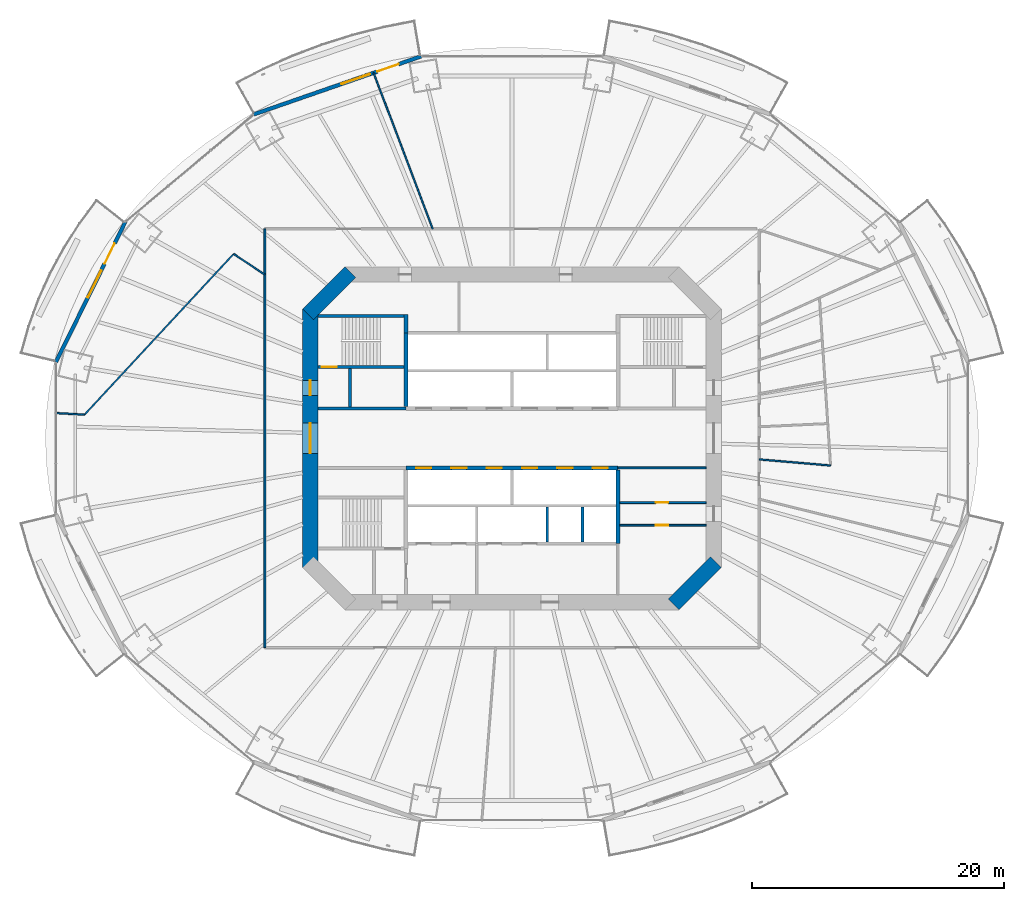
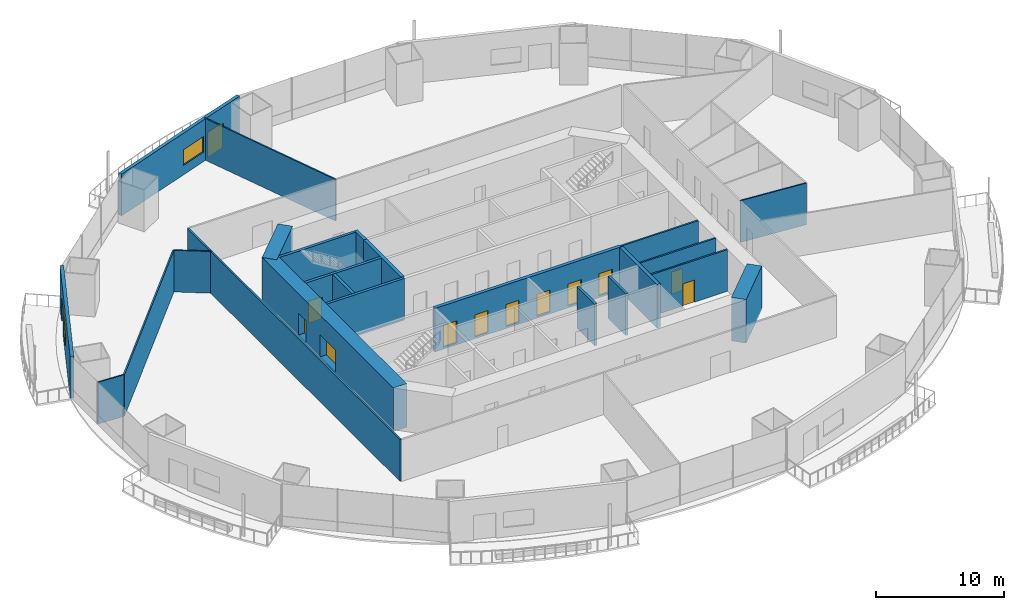
# One storey, part 15 of 23: 24 walls, 13 doors, 2 windows, 15 openings.
"""IFC4 building model written with IfcOpenShell, lengths in metres."""

from ifc_helpers import new_model, si_unit, direction, frame, frame_2d, origin, place, context, subcontext, project, spatial, rectangle, extrude, material, layer, layer_set, type_object, element, fill, save


model = new_model("IFC4")

# Units and contexts
model_context = context("Model", 3, precision=1e-05, world=origin(), true_north=direction((0.0, 1.0)))
body_context = subcontext(model_context, "Body", "Model", "MODEL_VIEW")
ifc_project = project(units=[si_unit("LENGTHUNIT", "METRE"), si_unit("AREAUNIT", "SQUARE_METRE"), si_unit("VOLUMEUNIT", "CUBIC_METRE"), si_unit("PLANEANGLEUNIT", "RADIAN"), si_unit("MASSUNIT", "GRAM", prefix="KILO")], contexts=[model_context])

# Site, building, storey
site_placement = place(None, origin())
site = spatial("IfcSite", under=ifc_project, at=site_placement, CompositionType="ELEMENT")
building_placement = place(site_placement, origin())
building = spatial("IfcBuilding", under=site, at=building_placement, Name="Marenthal Gate Tower", CompositionType="ELEMENT")
storey_placement = place(building_placement, frame((0.0, 0.0, 37.14990234375)))
storey = spatial("IfcBuildingStorey", under=building, at=storey_placement, Name="L05", CompositionType="ELEMENT", Elevation=37.14990234375)

# Walls
ifc_material_1 = material(Name="Concrete 60 MPa", Category="concrete")
ifc_layer_1 = layer(ifc_material_1, 1.199951171875)
ifc_layer_set_1 = layer_set([ifc_layer_1], Name="Core shear wall 1200")
wall_type_1 = type_object("IfcWallType", Name="Core shear wall 1200", PredefinedType="SHEAR", material=ifc_layer_set_1)
for number, where, z_axis, x_axis, name in (
    (1, (12.82421875, -13.17578125, -0.179931640625), (0.0, 0.0, 1.0), (0.707106781187, 0.707106781187, 0.0), "Core wall 01"),
    (2, (-12.82421875, 13.17578125, -0.179931640625), (0.0, 0.0, 1.0), (-0.707106781187, -0.707106781187, 0.0), "Core wall 05"),
):
    element("IfcWall", number, at=place(storey_placement, frame(where, z_axis=z_axis, x_axis=x_axis)), inside=storey, type_object=wall_type_1, Name=name, PredefinedType="SHEAR", context=body_context, shape_type="SweptSolid", body=[
        extrude(rectangle(XDim=4.73974609375, YDim=1.199951171875, at=frame_2d((2.369873046875, 0.0))), origin(), (0.0, 0.0, 1.0), 4.150146484375),
    ])

# Wall, openings, doors
wall_1_placement = place(storey_placement, frame((-16.0, 10.24853515625, -0.179931640625), z_axis=(0.0, 0.0, 1.0), x_axis=(0.0, -1.0, 0.0)))
wall_1 = element("IfcWall", 3, at=wall_1_placement, inside=storey, type_object=wall_type_1, Name="Core wall 06", PredefinedType="SHEAR", context=body_context, shape_type="SweptSolid", body=[
    extrude(rectangle(XDim=20.4970703125, YDim=1.199951171875, at=frame_2d((10.24853515625, 0.0))), origin(), (0.0, 0.0, 1.0), 4.150146484375),
])
opening_1_placement = place(wall_1_placement, frame((9.048583984375, 0.0, 0.179931640625)))
opening_1 = element("IfcOpeningElement", 4, at=opening_1_placement, cuts=wall_1, Name="Opening D003.01", PredefinedType="OPENING", context=body_context, shape_type="SweptSolid", body=[
    extrude(rectangle(XDim=2.39990234375, YDim=2.10009765625, at=frame_2d((1.199951171875, 1.050048828125))), frame((0.0, 0.60986328125, 0.0), z_axis=(0.0, -1.0, 0.0), x_axis=(1.0, 0.0, 0.0)), (0.0, 0.0, 1.0), 1.219970703125),
])
opening_2_placement = place(wall_1_placement, frame((5.6484375, 0.0, 0.179931640625)))
opening_2 = element("IfcOpeningElement", 5, at=opening_2_placement, cuts=wall_1, Name="Opening D001.04", PredefinedType="OPENING", context=body_context, shape_type="SweptSolid", body=[
    extrude(rectangle(XDim=1.199951171875, YDim=2.10009765625, at=frame_2d((0.60009765625, 1.050048828125))), frame((0.0, 0.60986328125, 0.0), z_axis=(0.0, -1.0, 0.0), x_axis=(1.0, 0.0, 0.0)), (0.0, 0.0, 1.0), 1.219970703125),
])
ifc_material_2 = material(Name="Steel fire door", Category="steel")
door_type_1 = type_object("IfcDoorType", Name="Double fire door FD 45 2400 x 2100", OperationType="DOUBLE_DOOR_SINGLE_SWING", PredefinedType="DOOR", material=ifc_material_2)
door_1_placement = place(opening_1_placement, origin())
door_1 = element("IfcDoor", 6, at=door_1_placement, inside=storey, type_object=door_type_1, Name="Door D003.01", OperationType="DOUBLE_DOOR_SINGLE_SWING", OverallHeight=2.10009765625, OverallWidth=2.39990234375, PredefinedType="DOOR", context=body_context, shape_type="SweptSolid", body=[
    extrude(rectangle(XDim=2.39990234375, YDim=2.10009765625, at=frame_2d((1.199951171875, 1.050048828125))), frame((0.0, 0.02490234375, 0.0), z_axis=(0.0, -1.0, 0.0), x_axis=(1.0, 0.0, 0.0)), (0.0, 0.0, 1.0), 0.050048828125),
])
fill(opening_1, door_1)
ifc_material_3 = material(Name="Steel fire door", Category="steel")
door_type_2 = type_object("IfcDoorType", Name="Fire door FD 90 1200 x 2100", OperationType="NOTDEFINED", PredefinedType="DOOR", material=ifc_material_3)
door_2_placement = place(opening_2_placement, origin())
door_2 = element("IfcDoor", 7, at=door_2_placement, inside=storey, type_object=door_type_2, Name="Door D001.04", OperationType="SINGLE_SWING_RIGHT", OverallHeight=2.10009765625, OverallWidth=1.199951171875, PredefinedType="DOOR", context=body_context, shape_type="SweptSolid", body=[
    extrude(rectangle(XDim=1.199951171875, YDim=2.10009765625, at=frame_2d((0.60009765625, 1.050048828125))), frame((0.0, 0.02490234375, 0.0), z_axis=(0.0, -1.0, 0.0), x_axis=(1.0, 0.0, 0.0)), (0.0, 0.0, 1.0), 0.050048828125),
])
fill(opening_2, door_2)

ifc_material_4 = material(Name="Concrete 50 MPa", Category="concrete")
ifc_layer_2 = layer(ifc_material_4, 0.300048828125)
ifc_layer_set_2 = layer_set([ifc_layer_2], Name="Hoistway shear wall 300")
wall_type_2 = type_object("IfcWallType", Name="Hoistway shear wall 300", PredefinedType="SHEAR", material=ifc_layer_set_2)
wall_2_placement = place(storey_placement, frame((-8.39990234375, -2.35009765625, -0.179931640625), z_axis=(0.0, 0.0, 1.0), x_axis=(1.0, 0.0, 0.0)))
wall_2 = element("IfcWall", 8, at=wall_2_placement, inside=storey, type_object=wall_type_2, Name="Hoistway wall 17", PredefinedType="SHEAR", context=body_context, shape_type="SweptSolid", body=[
    extrude(rectangle(XDim=16.7998046875, YDim=0.300048828125, at=frame_2d((8.39990234375, 0.0))), origin(), (0.0, 0.0, 1.0), 4.150146484375),
])
opening_3_placement = place(wall_2_placement, frame((0.800048828125, 0.0, 0.179931640625)))
opening_3 = element("IfcOpeningElement", 9, at=opening_3_placement, cuts=wall_2, Name="Opening LD-LP7", PredefinedType="OPENING", context=body_context, shape_type="SweptSolid", body=[
    extrude(rectangle(XDim=1.199951171875, YDim=2.10009765625, at=frame_2d((0.60009765625, 1.050048828125))), frame((0.0, 0.16015625, 0.0), z_axis=(0.0, -1.0, 0.0), x_axis=(1.0, 0.0, 0.0)), (0.0, 0.0, 1.0), 0.320068359375),
])
opening_4_placement = place(wall_2_placement, frame((3.60009765625, 0.0, 0.179931640625)))
opening_4 = element("IfcOpeningElement", 10, at=opening_4_placement, cuts=wall_2, Name="Opening LD-LP8", PredefinedType="OPENING", context=body_context, shape_type="SweptSolid", body=[
    extrude(rectangle(XDim=1.199951171875, YDim=2.10009765625, at=frame_2d((0.60009765625, 1.050048828125))), frame((0.0, 0.16015625, 0.0), z_axis=(0.0, -1.0, 0.0), x_axis=(1.0, 0.0, 0.0)), (0.0, 0.0, 1.0), 0.320068359375),
])
opening_5_placement = place(wall_2_placement, frame((6.39990234375, 0.0, 0.179931640625)))
opening_5 = element("IfcOpeningElement", 11, at=opening_5_placement, cuts=wall_2, Name="Opening LD-LP9", PredefinedType="OPENING", context=body_context, shape_type="SweptSolid", body=[
    extrude(rectangle(XDim=1.199951171875, YDim=2.10009765625, at=frame_2d((0.60009765625, 1.050048828125))), frame((0.0, 0.16015625, 0.0), z_axis=(0.0, -1.0, 0.0), x_axis=(1.0, 0.0, 0.0)), (0.0, 0.0, 1.0), 0.320068359375),
])
opening_6_placement = place(wall_2_placement, frame((9.199951171875, 0.0, 0.179931640625)))
opening_6 = element("IfcOpeningElement", 12, at=opening_6_placement, cuts=wall_2, Name="Opening LD-LP10", PredefinedType="OPENING", context=body_context, shape_type="SweptSolid", body=[
    extrude(rectangle(XDim=1.199951171875, YDim=2.10009765625, at=frame_2d((0.60009765625, 1.050048828125))), frame((0.0, 0.16015625, 0.0), z_axis=(0.0, -1.0, 0.0), x_axis=(1.0, 0.0, 0.0)), (0.0, 0.0, 1.0), 0.320068359375),
])
opening_7_placement = place(wall_2_placement, frame((12.0, 0.0, 0.179931640625)))
opening_7 = element("IfcOpeningElement", 13, at=opening_7_placement, cuts=wall_2, Name="Opening LD-LP11", PredefinedType="OPENING", context=body_context, shape_type="SweptSolid", body=[
    extrude(rectangle(XDim=1.199951171875, YDim=2.10009765625, at=frame_2d((0.60009765625, 1.050048828125))), frame((0.0, 0.16015625, 0.0), z_axis=(0.0, -1.0, 0.0), x_axis=(1.0, 0.0, 0.0)), (0.0, 0.0, 1.0), 0.320068359375),
])
opening_8_placement = place(wall_2_placement, frame((14.800048828125, 0.0, 0.179931640625)))
opening_8 = element("IfcOpeningElement", 14, at=opening_8_placement, cuts=wall_2, Name="Opening LD-LP12", PredefinedType="OPENING", context=body_context, shape_type="SweptSolid", body=[
    extrude(rectangle(XDim=1.199951171875, YDim=2.10009765625, at=frame_2d((0.60009765625, 1.050048828125))), frame((0.0, 0.16015625, 0.0), z_axis=(0.0, -1.0, 0.0), x_axis=(1.0, 0.0, 0.0)), (0.0, 0.0, 1.0), 0.320068359375),
])
ifc_material_5 = material(Name="Stainless steel sliding door", Category="steel")
door_type_3 = type_object("IfcDoorType", Name="Lift landing door FD 90 1200 x 2100", OperationType="DOUBLE_DOOR_SLIDING", PredefinedType="DOOR", material=ifc_material_5)
door_3_placement = place(opening_3_placement, origin())
door_3 = element("IfcDoor", 15, at=door_3_placement, inside=storey, type_object=door_type_3, Name="Lift landing door LP7", OperationType="DOUBLE_DOOR_SLIDING", OverallHeight=2.10009765625, OverallWidth=1.199951171875, PredefinedType="DOOR", context=body_context, shape_type="SweptSolid", body=[
    extrude(rectangle(XDim=1.199951171875, YDim=2.10009765625, at=frame_2d((0.60009765625, 1.050048828125))), frame((0.0, 0.02490234375, 0.0), z_axis=(0.0, -1.0, 0.0), x_axis=(1.0, 0.0, 0.0)), (0.0, 0.0, 1.0), 0.050048828125),
])
fill(opening_3, door_3)
door_4_placement = place(opening_4_placement, origin())
door_4 = element("IfcDoor", 16, at=door_4_placement, inside=storey, type_object=door_type_3, Name="Lift landing door LP8", OperationType="DOUBLE_DOOR_SLIDING", OverallHeight=2.10009765625, OverallWidth=1.199951171875, PredefinedType="DOOR", context=body_context, shape_type="SweptSolid", body=[
    extrude(rectangle(XDim=1.199951171875, YDim=2.10009765625, at=frame_2d((0.60009765625, 1.050048828125))), frame((0.0, 0.02490234375, 0.0), z_axis=(0.0, -1.0, 0.0), x_axis=(1.0, 0.0, 0.0)), (0.0, 0.0, 1.0), 0.050048828125),
])
fill(opening_4, door_4)
door_5_placement = place(opening_5_placement, origin())
door_5 = element("IfcDoor", 17, at=door_5_placement, inside=storey, type_object=door_type_3, Name="Lift landing door LP9", OperationType="DOUBLE_DOOR_SLIDING", OverallHeight=2.10009765625, OverallWidth=1.199951171875, PredefinedType="DOOR", context=body_context, shape_type="SweptSolid", body=[
    extrude(rectangle(XDim=1.199951171875, YDim=2.10009765625, at=frame_2d((0.60009765625, 1.050048828125))), frame((0.0, 0.02490234375, 0.0), z_axis=(0.0, -1.0, 0.0), x_axis=(1.0, 0.0, 0.0)), (0.0, 0.0, 1.0), 0.050048828125),
])
fill(opening_5, door_5)
door_6_placement = place(opening_6_placement, origin())
door_6 = element("IfcDoor", 18, at=door_6_placement, inside=storey, type_object=door_type_3, Name="Lift landing door LP10", OperationType="DOUBLE_DOOR_SLIDING", OverallHeight=2.10009765625, OverallWidth=1.199951171875, PredefinedType="DOOR", context=body_context, shape_type="SweptSolid", body=[
    extrude(rectangle(XDim=1.199951171875, YDim=2.10009765625, at=frame_2d((0.60009765625, 1.050048828125))), frame((0.0, 0.02490234375, 0.0), z_axis=(0.0, -1.0, 0.0), x_axis=(1.0, 0.0, 0.0)), (0.0, 0.0, 1.0), 0.050048828125),
])
fill(opening_6, door_6)
door_7_placement = place(opening_7_placement, origin())
door_7 = element("IfcDoor", 19, at=door_7_placement, inside=storey, type_object=door_type_3, Name="Lift landing door LP11", OperationType="DOUBLE_DOOR_SLIDING", OverallHeight=2.10009765625, OverallWidth=1.199951171875, PredefinedType="DOOR", context=body_context, shape_type="SweptSolid", body=[
    extrude(rectangle(XDim=1.199951171875, YDim=2.10009765625, at=frame_2d((0.60009765625, 1.050048828125))), frame((0.0, 0.02490234375, 0.0), z_axis=(0.0, -1.0, 0.0), x_axis=(1.0, 0.0, 0.0)), (0.0, 0.0, 1.0), 0.050048828125),
])
fill(opening_7, door_7)
door_8_placement = place(opening_8_placement, origin())
door_8 = element("IfcDoor", 20, at=door_8_placement, inside=storey, type_object=door_type_3, Name="Lift landing door LP12", OperationType="DOUBLE_DOOR_SLIDING", OverallHeight=2.10009765625, OverallWidth=1.199951171875, PredefinedType="DOOR", context=body_context, shape_type="SweptSolid", body=[
    extrude(rectangle(XDim=1.199951171875, YDim=2.10009765625, at=frame_2d((0.60009765625, 1.050048828125))), frame((0.0, 0.02490234375, 0.0), z_axis=(0.0, -1.0, 0.0), x_axis=(1.0, 0.0, 0.0)), (0.0, 0.0, 1.0), 0.050048828125),
])
fill(opening_8, door_8)

# Walls
for number, where, z_axis, x_axis, name in (
    (21, (-8.39990234375, 2.5, -0.179931640625), (0.0, 0.0, 1.0), (0.0, 1.0, 0.0), "Hoistway wall 32"),
    (22, (8.39990234375, -8.35009765625, -0.179931640625), (0.0, 0.0, 1.0), (0.0, 1.0, 0.0), "Hoistway wall 43"),
):
    element("IfcWall", number, at=place(storey_placement, frame(where, z_axis=z_axis, x_axis=x_axis)), inside=storey, type_object=wall_type_2, Name=name, PredefinedType="SHEAR", context=body_context, shape_type="SweptSolid", body=[
        extrude(rectangle(XDim=5.85009765625, YDim=0.300048828125, at=frame_2d((2.925048828125, 0.0))), origin(), (0.0, 0.0, 1.0), 4.150146484375),
    ])
ifc_material_6 = material(Name="Concrete 40 MPa", Category="concrete")
ifc_layer_3 = layer(ifc_material_6, 0.219970703125)
ifc_layer_set_3 = layer_set([ifc_layer_3], Name="Hoistway wall 220")
wall_type_3 = type_object("IfcWallType", Name="Hoistway wall 220", PredefinedType="STANDARD", material=ifc_layer_set_3)
for number, where, z_axis, x_axis, name in (
    (23, (2.800048828125, -8.239990234375, 0.0), (0.0, 0.0, 1.0), (0.0, 1.0, 0.0), "Hoistway wall 39"),
    (24, (5.60009765625, -8.239990234375, 0.0), (0.0, 0.0, 1.0), (0.0, 1.0, 0.0), "Hoistway wall 41"),
):
    element("IfcWall", number, at=place(storey_placement, frame(where, z_axis=z_axis, x_axis=x_axis)), inside=storey, type_object=wall_type_3, Name=name, PredefinedType="STANDARD", context=body_context, shape_type="SweptSolid", body=[
        extrude(rectangle(XDim=2.780029296875, YDim=0.219970703125, at=frame_2d((1.39013671875, 0.0))), origin(), (0.0, 0.0, 1.0), 3.97021484375),
    ])
ifc_material_7 = material(Name="Gypsum board on steel studs", Category="steel")
ifc_layer_4 = layer(ifc_material_7, 0.1201171875)
ifc_layer_set_4 = layer_set([ifc_layer_4], Name="Partition 120")
wall_type_4 = type_object("IfcWallType", Name="Partition 120", PredefinedType="PARTITIONING", material=ifc_layer_set_4)
wall_3_placement = place(storey_placement, frame((-33.89599609375, 1.872314453125, 0.0), z_axis=(0.0, 0.0, 1.0), x_axis=(-0.998476791084, 0.055173341997, 0.0)))
element("IfcWall", 25, at=wall_3_placement, inside=storey, type_object=wall_type_4, Name="Partition wall 47", PredefinedType="PARTITIONING", context=body_context, shape_type="SweptSolid", body=[
    extrude(rectangle(XDim=2.27880859375, YDim=0.1201171875, at=frame_2d((1.139404296875, 0.0))), origin(), (0.0, 0.0, 1.0), 3.97021484375),
])
wall_4_placement = place(storey_placement, frame((-22.07470703125, 14.6162109375, 0.0), z_axis=(0.0, 0.0, 1.0), x_axis=(-0.680070131549, -0.733147063129, 0.0)))
element("IfcWall", 26, at=wall_4_placement, inside=storey, type_object=wall_type_4, Name="Partition wall 48", PredefinedType="PARTITIONING", context=body_context, shape_type="SweptSolid", body=[
    extrude(rectangle(XDim=17.382568359375, YDim=0.1201171875, at=frame_2d((8.69140625, 0.0))), origin(), (0.0, 0.0, 1.0), 3.97021484375),
])
wall_5_placement = place(storey_placement, frame((-22.07470703125, 14.6162109375, 0.0), z_axis=(0.0, 0.0, 1.0), x_axis=(0.833767380318, -0.552115889571, 0.0)))
element("IfcWall", 27, at=wall_5_placement, inside=storey, type_object=wall_type_4, Name="Partition wall 49", PredefinedType="PARTITIONING", context=body_context, shape_type="SweptSolid", body=[
    extrude(rectangle(XDim=2.968017578125, YDim=0.1201171875, at=frame_2d((1.48388671875, 0.0))), origin(), (0.0, 0.0, 1.0), 3.97021484375),
])
wall_6_placement = place(storey_placement, frame((-6.286865234375, 16.60009765625, 0.0), z_axis=(0.0, 0.0, 1.0), x_axis=(-0.35419259506, 0.935172500453, 0.0)))
element("IfcWall", 28, at=wall_6_placement, inside=storey, type_object=wall_type_4, Name="Partition wall 52", PredefinedType="PARTITIONING", context=body_context, shape_type="SweptSolid", body=[
    extrude(rectangle(XDim=13.233642578125, YDim=0.1201171875, at=frame_2d((6.61669921875, 0.0))), origin(), (0.0, 0.0, 1.0), 3.97021484375),
])
wall_7_placement = place(storey_placement, frame((25.2587890625, -2.161865234375, 0.0), z_axis=(0.0, 0.0, 1.0), x_axis=(-0.996356466097, 0.08528653157, 0.0)))
element("IfcWall", 29, at=wall_7_placement, inside=storey, type_object=wall_type_4, Name="Partition wall 62", PredefinedType="PARTITIONING", context=body_context, shape_type="SweptSolid", body=[
    extrude(rectangle(XDim=5.679443359375, YDim=0.1201171875, at=frame_2d((2.83984375, 0.0))), origin(), (0.0, 0.0, 1.0), 3.97021484375),
])

# Wall, opening, door
ifc_material_8 = material(Name="Gypsum board on steel studs", Category="steel")
ifc_layer_5 = layer(ifc_material_8, 0.14990234375)
ifc_layer_set_5 = layer_set([ifc_layer_5], Name="Partition 150")
wall_type_5 = type_object("IfcWallType", Name="Partition 150", PredefinedType="PARTITIONING", material=ifc_layer_set_5)
wall_8_placement = place(storey_placement, frame((8.550048828125, -6.89990234375, 0.0), z_axis=(0.0, 0.0, 1.0), x_axis=(1.0, 0.0, 0.0)))
wall_8 = element("IfcWall", 30, at=wall_8_placement, inside=storey, type_object=wall_type_5, Name="Partition wall 12", PredefinedType="PARTITIONING", context=body_context, shape_type="SweptSolid", body=[
    extrude(rectangle(XDim=6.849853515625, YDim=0.14990234375, at=frame_2d((3.4248046875, 0.0))), origin(), (0.0, 0.0, 1.0), 3.97021484375),
])
opening_9_placement = place(wall_8_placement, frame((2.85009765625, 0.0, 0.0)))
opening_9 = element("IfcOpeningElement", 31, at=opening_9_placement, cuts=wall_8, Name="Opening D005.04", PredefinedType="OPENING", context=body_context, shape_type="SweptSolid", body=[
    extrude(rectangle(XDim=1.0, YDim=2.10009765625, at=frame_2d((0.5, 1.050048828125))), frame((0.0, 0.0849609375, 0.0), z_axis=(0.0, -1.0, 0.0), x_axis=(1.0, 0.0, 0.0)), (0.0, 0.0, 1.0), 0.169921875),
])
ifc_material_9 = material(Name="Steel fire door", Category="steel")
door_type_4 = type_object("IfcDoorType", Name="Fire door FD 45 1000 x 2100", OperationType="NOTDEFINED", PredefinedType="DOOR", material=ifc_material_9)
door_9_placement = place(opening_9_placement, frame((1.0, 0.0, 0.0), z_axis=(0.0, 0.0, 1.0), x_axis=(-1.0, 0.0, 0.0)))
door_9 = element("IfcDoor", 32, at=door_9_placement, inside=storey, type_object=door_type_4, Name="Door D005.04", OperationType="SINGLE_SWING_LEFT", OverallHeight=2.10009765625, OverallWidth=1.0, PredefinedType="DOOR", context=body_context, shape_type="SweptSolid", body=[
    extrude(rectangle(XDim=1.0, YDim=2.10009765625, at=frame_2d((0.5, 1.050048828125))), frame((0.0, 0.02490234375, 0.0), z_axis=(0.0, -1.0, 0.0), x_axis=(1.0, 0.0, 0.0)), (0.0, 0.0, 1.0), 0.050048828125),
])
fill(opening_9, door_9)

wall_9_placement = place(storey_placement, frame((8.550048828125, -5.10009765625, 0.0), z_axis=(0.0, 0.0, 1.0), x_axis=(1.0, 0.0, 0.0)))
wall_9 = element("IfcWall", 33, at=wall_9_placement, inside=storey, type_object=wall_type_5, Name="Partition wall 14", PredefinedType="PARTITIONING", context=body_context, shape_type="SweptSolid", body=[
    extrude(rectangle(XDim=6.849853515625, YDim=0.14990234375, at=frame_2d((3.4248046875, 0.0))), origin(), (0.0, 0.0, 1.0), 3.97021484375),
])
opening_10_placement = place(wall_9_placement, frame((2.85009765625, 0.0, 0.0)))
opening_10 = element("IfcOpeningElement", 34, at=opening_10_placement, cuts=wall_9, Name="Opening D005.03", PredefinedType="OPENING", context=body_context, shape_type="SweptSolid", body=[
    extrude(rectangle(XDim=1.0, YDim=2.10009765625, at=frame_2d((0.5, 1.050048828125))), frame((0.0, 0.0849609375, 0.0), z_axis=(0.0, -1.0, 0.0), x_axis=(1.0, 0.0, 0.0)), (0.0, 0.0, 1.0), 0.169921875),
])
door_10_placement = place(opening_10_placement, origin())
door_10 = element("IfcDoor", 35, at=door_10_placement, inside=storey, type_object=door_type_4, Name="Door D005.03", OperationType="SINGLE_SWING_RIGHT", OverallHeight=2.10009765625, OverallWidth=1.0, PredefinedType="DOOR", context=body_context, shape_type="SweptSolid", body=[
    extrude(rectangle(XDim=1.0, YDim=2.10009765625, at=frame_2d((0.5, 1.050048828125))), frame((0.0, 0.02490234375, 0.0), z_axis=(0.0, -1.0, 0.0), x_axis=(1.0, 0.0, 0.0)), (0.0, 0.0, 1.0), 0.050048828125),
])
fill(opening_10, door_10)

# Walls
wall_10_placement = place(storey_placement, frame((8.39990234375, -2.35009765625, 0.0), z_axis=(0.0, 0.0, 1.0), x_axis=(1.0, 0.0, 0.0)))
element("IfcWall", 36, at=wall_10_placement, inside=storey, type_object=wall_type_5, Name="Partition wall 18", PredefinedType="PARTITIONING", context=body_context, shape_type="SweptSolid", body=[
    extrude(rectangle(XDim=7.0, YDim=0.14990234375, at=frame_2d((3.5, 0.0))), origin(), (0.0, 0.0, 1.0), 3.97021484375),
])
wall_11_placement = place(storey_placement, frame((-19.60009765625, -16.60009765625, 0.0), z_axis=(0.0, 0.0, 1.0), x_axis=(0.0, 1.0, 0.0)))
element("IfcWall", 37, at=wall_11_placement, inside=storey, type_object=wall_type_5, Name="Partition wall 50", PredefinedType="PARTITIONING", context=body_context, shape_type="SweptSolid", body=[
    extrude(rectangle(XDim=33.2001953125, YDim=0.14990234375, at=frame_2d((16.60009765625, 0.0))), origin(), (0.0, 0.0, 1.0), 3.97021484375),
])
ifc_material_10 = material(Name="Concrete 40 MPa", Category="concrete")
ifc_layer_6 = layer(ifc_material_10, 0.25)
ifc_layer_set_6 = layer_set([ifc_layer_6], Name="Stair enclosure wall 250")
wall_type_6 = type_object("IfcWallType", Name="Stair enclosure wall 250", PredefinedType="STANDARD", material=ifc_layer_set_6)
wall_12_placement = place(storey_placement, frame((-15.39990234375, 2.35009765625, 0.0), z_axis=(0.0, 0.0, 1.0), x_axis=(1.0, 0.0, 0.0)))
element("IfcWall", 38, at=wall_12_placement, inside=storey, type_object=wall_type_6, Name="Stair wall 19", PredefinedType="STANDARD", context=body_context, shape_type="SweptSolid", body=[
    extrude(rectangle(XDim=7.0, YDim=0.25, at=frame_2d((3.5, 0.0))), origin(), (0.0, 0.0, 1.0), 3.97021484375),
])
wall_13_placement = place(storey_placement, frame((-12.85009765625, 2.47509765625, 0.0), z_axis=(0.0, 0.0, 1.0), x_axis=(0.0, 1.0, 0.0)))
element("IfcWall", 39, at=wall_13_placement, inside=storey, type_object=wall_type_6, Name="Stair wall 28", PredefinedType="STANDARD", context=body_context, shape_type="SweptSolid", body=[
    extrude(rectangle(XDim=3.0498046875, YDim=0.25, at=frame_2d((1.52490234375, 0.0))), origin(), (0.0, 0.0, 1.0), 3.97021484375),
])

# Wall, opening, door
ifc_material_11 = material(Name="Concrete 50 MPa", Category="concrete")
ifc_layer_7 = layer(ifc_material_11, 0.25)
ifc_layer_set_7 = layer_set([ifc_layer_7], Name="Stair shear wall 250")
wall_type_7 = type_object("IfcWallType", Name="Stair shear wall 250", PredefinedType="SHEAR", material=ifc_layer_set_7)
wall_14_placement = place(storey_placement, frame((-15.39990234375, 5.64990234375, -0.179931640625), z_axis=(0.0, 0.0, 1.0), x_axis=(1.0, 0.0, 0.0)))
wall_14 = element("IfcWall", 40, at=wall_14_placement, inside=storey, type_object=wall_type_7, Name="Stair wall 23", PredefinedType="SHEAR", context=body_context, shape_type="SweptSolid", body=[
    extrude(rectangle(XDim=6.849853515625, YDim=0.25, at=frame_2d((3.4248046875, 0.0))), origin(), (0.0, 0.0, 1.0), 4.150146484375),
])
opening_11_placement = place(wall_14_placement, frame((0.300048828125, 0.0, 0.179931640625)))
opening_11 = element("IfcOpeningElement", 41, at=opening_11_placement, cuts=wall_14, Name="Opening D001.01", PredefinedType="OPENING", context=body_context, shape_type="SweptSolid", body=[
    extrude(rectangle(XDim=1.199951171875, YDim=2.10009765625, at=frame_2d((0.60009765625, 1.050048828125))), frame((0.0, 0.135009765625, 0.0), z_axis=(0.0, -1.0, 0.0), x_axis=(1.0, 0.0, 0.0)), (0.0, 0.0, 1.0), 0.27001953125),
])
door_11_placement = place(opening_11_placement, origin())
door_11 = element("IfcDoor", 42, at=door_11_placement, inside=storey, type_object=door_type_2, Name="Door D001.01", OperationType="SINGLE_SWING_RIGHT", OverallHeight=2.10009765625, OverallWidth=1.199951171875, PredefinedType="DOOR", context=body_context, shape_type="SweptSolid", body=[
    extrude(rectangle(XDim=1.199951171875, YDim=2.10009765625, at=frame_2d((0.60009765625, 1.050048828125))), frame((0.0, 0.02490234375, 0.0), z_axis=(0.0, -1.0, 0.0), x_axis=(1.0, 0.0, 0.0)), (0.0, 0.0, 1.0), 0.050048828125),
])
fill(opening_11, door_11)

# Walls
wall_15_placement = place(storey_placement, frame((-15.39990234375, 9.699951171875, -0.179931640625), z_axis=(0.0, 0.0, 1.0), x_axis=(1.0, 0.0, 0.0)))
element("IfcWall", 43, at=wall_15_placement, inside=storey, type_object=wall_type_7, Name="Stair wall 26", PredefinedType="SHEAR", context=body_context, shape_type="SweptSolid", body=[
    extrude(rectangle(XDim=6.849853515625, YDim=0.25, at=frame_2d((3.4248046875, 0.0))), origin(), (0.0, 0.0, 1.0), 4.150146484375),
])
ifc_material_12 = material(Name="Concrete 50 MPa", Category="concrete")
ifc_layer_8 = layer(ifc_material_12, 0.300048828125)
ifc_layer_set_8 = layer_set([ifc_layer_8], Name="Stair shear wall 300")
wall_type_8 = type_object("IfcWallType", Name="Stair shear wall 300", PredefinedType="SHEAR", material=ifc_layer_set_8)
wall_16_placement = place(storey_placement, frame((-8.39990234375, 8.35009765625, -0.179931640625), z_axis=(0.0, 0.0, 1.0), x_axis=(0.0, 1.0, 0.0)))
element("IfcWall", 44, at=wall_16_placement, inside=storey, type_object=wall_type_8, Name="Stair wall 33", PredefinedType="SHEAR", context=body_context, shape_type="SweptSolid", body=[
    extrude(rectangle(XDim=1.474853515625, YDim=0.300048828125, at=frame_2d((0.7373046875, 0.0))), origin(), (0.0, 0.0, 1.0), 4.150146484375),
])

# Wall, openings, door, window
ifc_material_13 = material(Name="Terracotta cladding on insulated concrete-block backing", Category="masonry")
ifc_layer_9 = layer(ifc_material_13, 0.300048828125)
ifc_layer_set_9 = layer_set([ifc_layer_9], Name="Terracotta facade wall 300")
wall_type_9 = type_object("IfcWallType", Name="Terracotta facade wall 300", PredefinedType="SOLIDWALL", material=ifc_layer_set_9)
wall_17_placement = place(storey_placement, frame((-7.19482421875, 30.28662109375, 0.0), z_axis=(0.0, 0.0, 1.0), x_axis=(-0.944791803015, -0.327671251341, 0.0)))
wall_17 = element("IfcWall", 45, at=wall_17_placement, inside=storey, type_object=wall_type_9, Name="Terracotta facade wall L05 bay 5", PredefinedType="SOLIDWALL", context=body_context, shape_type="SweptSolid", body=[
    extrude(rectangle(XDim=14.071533203125, YDim=0.300048828125, at=frame_2d((7.03564453125, 0.0))), origin(), (0.0, 0.0, 1.0), 3.97021484375),
])
opening_12_placement = place(wall_17_placement, frame((1.89990234375, 0.0, 0.0)))
opening_12 = element("IfcOpeningElement", 46, at=opening_12_placement, cuts=wall_17, Name="Opening BD-L05-05", PredefinedType="OPENING", context=body_context, shape_type="SweptSolid", body=[
    extrude(rectangle(XDim=1.800048828125, YDim=2.39990234375, at=frame_2d((0.89990234375, 1.199951171875))), frame((0.0, 0.16015625, 0.0), z_axis=(0.0, -1.0, 0.0), x_axis=(1.0, 0.0, 0.0)), (0.0, 0.0, 1.0), 0.320068359375),
])
opening_13_placement = place(wall_17_placement, frame((4.300048828125, 0.0, 0.89990234375)))
opening_13 = element("IfcOpeningElement", 47, at=opening_13_placement, cuts=wall_17, Name="Opening WN1-L05-05", PredefinedType="OPENING", context=body_context, shape_type="SweptSolid", body=[
    extrude(rectangle(XDim=2.39990234375, YDim=1.5, at=frame_2d((1.199951171875, 0.75))), frame((0.0, 0.16015625, 0.0), z_axis=(0.0, -1.0, 0.0), x_axis=(1.0, 0.0, 0.0)), (0.0, 0.0, 1.0), 0.320068359375),
])
ifc_material_14 = material(Name="Aluminium and glass", Category="aluminium")
door_type_5 = type_object("IfcDoorType", Name="Balcony door 1800x2400", OperationType="DOUBLE_DOOR_SINGLE_SWING", PredefinedType="DOOR", material=ifc_material_14)
door_12_placement = place(opening_12_placement, origin())
door_12 = element("IfcDoor", 48, at=door_12_placement, inside=storey, type_object=door_type_5, Name="Balcony door L05 bay 5", OperationType="SINGLE_SWING_LEFT", OverallHeight=2.39990234375, OverallWidth=1.800048828125, PredefinedType="DOOR", context=body_context, shape_type="SweptSolid", body=[
    extrude(rectangle(XDim=1.800048828125, YDim=2.39990234375, at=frame_2d((0.89990234375, 1.199951171875))), frame((0.0, 0.02490234375, 0.0), z_axis=(0.0, -1.0, 0.0), x_axis=(1.0, 0.0, 0.0)), (0.0, 0.0, 1.0), 0.050048828125),
])
fill(opening_12, door_12)
ifc_material_15 = material(Name="Aluminium and glass", Category="aluminium")
window_type = type_object("IfcWindowType", Name="Window 2400x1500", PartitioningType="TRIPLE_PANEL_VERTICAL", PredefinedType="WINDOW", material=ifc_material_15)
window_1_placement = place(opening_13_placement, origin())
window_1 = element("IfcWindow", 49, at=window_1_placement, inside=storey, type_object=window_type, Name="Window L05 bay 5", OverallHeight=1.5, OverallWidth=2.39990234375, PartitioningType="SINGLE_PANEL", PredefinedType="WINDOW", context=body_context, shape_type="SweptSolid", body=[
    extrude(rectangle(XDim=2.39990234375, YDim=1.5, at=frame_2d((1.199951171875, 0.75))), frame((0.0, 0.030029296875, 0.0), z_axis=(0.0, -1.0, 0.0), x_axis=(1.0, 0.0, 0.0)), (0.0, 0.0, 1.0), 0.06005859375),
])
fill(opening_13, window_1)

wall_18_placement = place(storey_placement, frame((-30.66455078125, 17.156005859375, 0.0), z_axis=(0.0, 0.0, 1.0), x_axis=(-0.443411588907, -0.896318114747, 0.0)))
wall_18 = element("IfcWall", 50, at=wall_18_placement, inside=storey, type_object=wall_type_9, Name="Terracotta facade wall L05 bay 7", PredefinedType="SOLIDWALL", context=body_context, shape_type="SweptSolid", body=[
    extrude(rectangle(XDim=12.419189453125, YDim=0.300048828125, at=frame_2d((6.20947265625, 0.0))), origin(), (0.0, 0.0, 1.0), 3.97021484375),
])
opening_14_placement = place(wall_18_placement, frame((1.89990234375, 0.0, 0.0)))
opening_14 = element("IfcOpeningElement", 51, at=opening_14_placement, cuts=wall_18, Name="Opening BD-L05-07", PredefinedType="OPENING", context=body_context, shape_type="SweptSolid", body=[
    extrude(rectangle(XDim=1.800048828125, YDim=2.39990234375, at=frame_2d((0.89990234375, 1.199951171875))), frame((0.0, 0.16015625, 0.0), z_axis=(0.0, -1.0, 0.0), x_axis=(1.0, 0.0, 0.0)), (0.0, 0.0, 1.0), 0.320068359375),
])
opening_15_placement = place(wall_18_placement, frame((4.300048828125, 0.0, 0.89990234375)))
opening_15 = element("IfcOpeningElement", 52, at=opening_15_placement, cuts=wall_18, Name="Opening WN1-L05-07", PredefinedType="OPENING", context=body_context, shape_type="SweptSolid", body=[
    extrude(rectangle(XDim=2.39990234375, YDim=1.5, at=frame_2d((1.199951171875, 0.75))), frame((0.0, 0.16015625, 0.0), z_axis=(0.0, -1.0, 0.0), x_axis=(1.0, 0.0, 0.0)), (0.0, 0.0, 1.0), 0.320068359375),
])
door_13_placement = place(opening_14_placement, origin())
door_13 = element("IfcDoor", 53, at=door_13_placement, inside=storey, type_object=door_type_5, Name="Balcony door L05 bay 7", OperationType="SINGLE_SWING_LEFT", OverallHeight=2.39990234375, OverallWidth=1.800048828125, PredefinedType="DOOR", context=body_context, shape_type="SweptSolid", body=[
    extrude(rectangle(XDim=1.800048828125, YDim=2.39990234375, at=frame_2d((0.89990234375, 1.199951171875))), frame((0.0, 0.02490234375, 0.0), z_axis=(0.0, -1.0, 0.0), x_axis=(1.0, 0.0, 0.0)), (0.0, 0.0, 1.0), 0.050048828125),
])
fill(opening_14, door_13)
window_2_placement = place(opening_15_placement, origin())
window_2 = element("IfcWindow", 54, at=window_2_placement, inside=storey, type_object=window_type, Name="Window L05 bay 7", OverallHeight=1.5, OverallWidth=2.39990234375, PartitioningType="SINGLE_PANEL", PredefinedType="WINDOW", context=body_context, shape_type="SweptSolid", body=[
    extrude(rectangle(XDim=2.39990234375, YDim=1.5, at=frame_2d((1.199951171875, 0.75))), frame((0.0, 0.030029296875, 0.0), z_axis=(0.0, -1.0, 0.0), x_axis=(1.0, 0.0, 0.0)), (0.0, 0.0, 1.0), 0.06005859375),
])
fill(opening_15, window_2)

save(model, "model.ifc")
